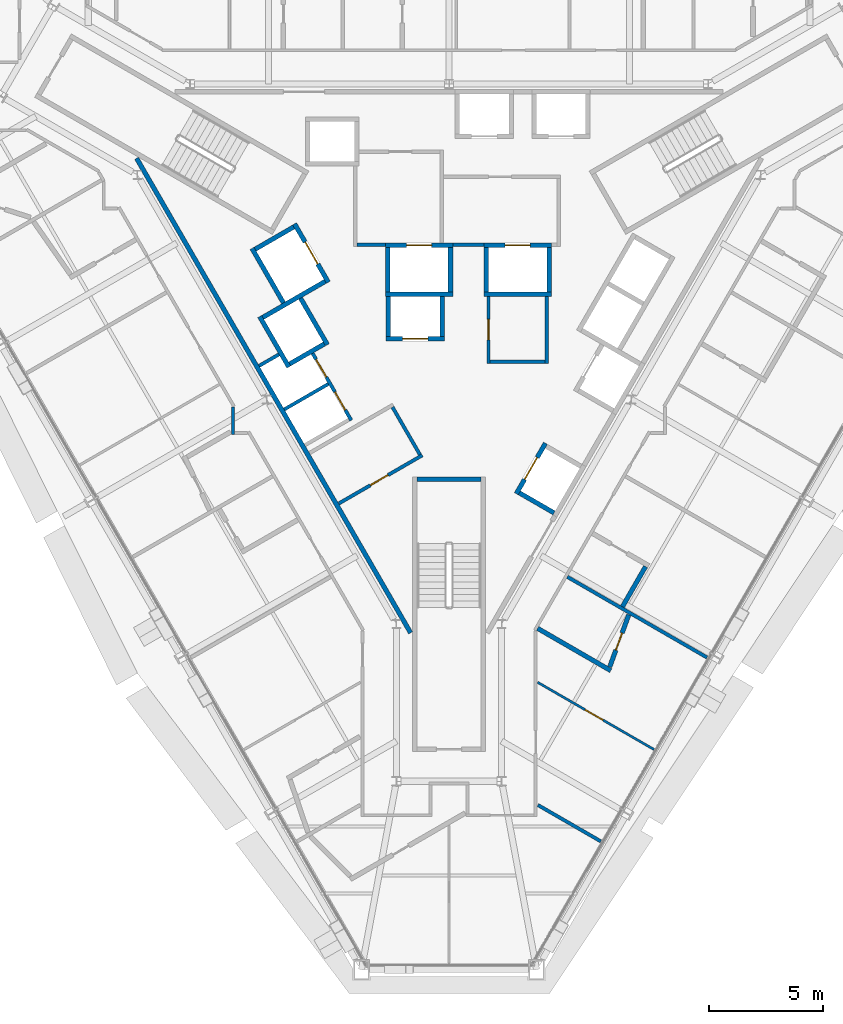
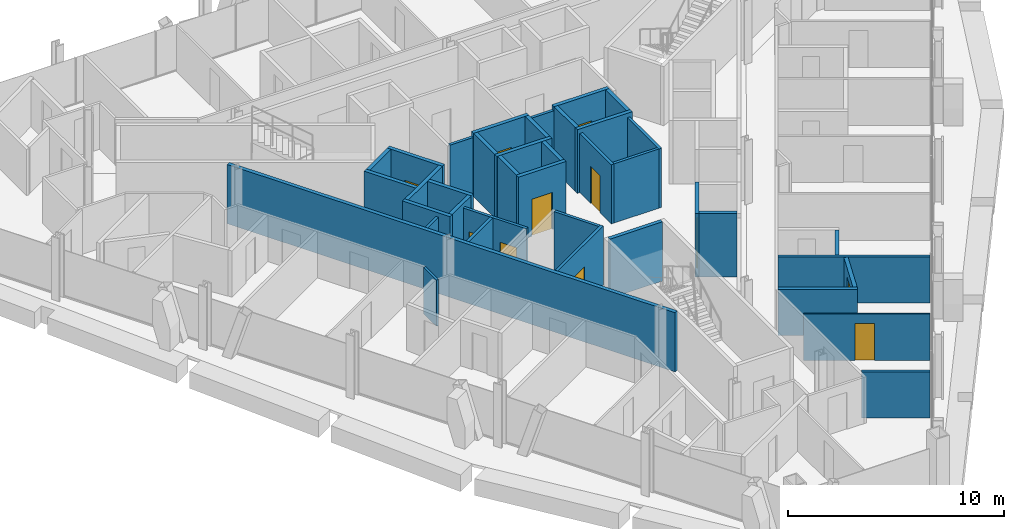
# One storey, part 11 of 17: 39 walls, 11 doors, 11 openings.
"""IFC4 building model written with IfcOpenShell, lengths in metres."""

from ifc_helpers import new_model, si_unit, direction, frame, frame_2d, origin, place, context, subcontext, project, spatial, rectangle, extrude, material, layer, layer_set, type_object, element, fill, save


model = new_model("IFC4")

# Units and contexts
model_context = context("Model", 3, precision=1e-05, world=origin(), true_north=direction((0.0, 1.0)))
body_context = subcontext(model_context, "Body", "Model", "MODEL_VIEW")
ifc_project = project(units=[si_unit("LENGTHUNIT", "METRE"), si_unit("AREAUNIT", "SQUARE_METRE"), si_unit("VOLUMEUNIT", "CUBIC_METRE"), si_unit("PLANEANGLEUNIT", "RADIAN"), si_unit("MASSUNIT", "GRAM", prefix="KILO")], contexts=[model_context])

# Site, building, storey
site_placement = place(None, origin())
site = spatial("IfcSite", under=ifc_project, at=site_placement, CompositionType="ELEMENT")
building_placement = place(site_placement, origin())
building = spatial("IfcBuilding", under=site, at=building_placement, Name="Verrane Prism Tower", CompositionType="ELEMENT")
storey_placement = place(building_placement, frame((0.0, 0.0, 96.39990234375)))
storey = spatial("IfcBuildingStorey", under=building, at=storey_placement, Name="L22", CompositionType="ELEMENT", Elevation=96.39990234375)

# Walls
ifc_material_1 = material(Name="Gypsum board partition", Category="other")
ifc_layer_1 = layer(ifc_material_1, 0.199951171875)
ifc_layer_set_1 = layer_set([ifc_layer_1], Name="CW-200 core boundary wall 2 h")
wall_type_1 = type_object("IfcWallType", Name="CW-200 core boundary wall 2 h", PredefinedType="PARTITIONING", material=ifc_layer_set_1)
wall_1_placement = place(storey_placement, frame((-13.66357421875, 5.946044921875, 0.0), z_axis=(0.0, 0.0, 1.0), x_axis=(0.499994327219, -0.866028678941, 0.0)))
element("IfcWall", 1, at=wall_1_placement, inside=storey, type_object=wall_type_1, Name="Core boundary wall CW3-001", PredefinedType="PARTITIONING", context=body_context, shape_type="SweptSolid", body=[
    extrude(rectangle(XDim=23.967529296875, YDim=0.199951171875, at=frame_2d((11.98388671875, 0.0))), origin(), (0.0, 0.0, 1.0), 3.35009765625),
])
ifc_material_2 = material(Name="Concrete C40/50", Category="concrete")
ifc_layer_2 = layer(ifc_material_2, 0.199951171875)
ifc_layer_set_2 = layer_set([ifc_layer_2], Name="CW-200 stair core wall concrete C40/50 3 h")
wall_type_2 = type_object("IfcWallType", Name="CW-200 stair core wall concrete C40/50 3 h", PredefinedType="PARTITIONING", material=ifc_layer_set_2)
wall_2_placement = place(storey_placement, frame((-1.39990234375, -8.10009765625, 0.0), z_axis=(0.0, 0.0, 1.0), x_axis=(1.0, 0.0, 0.0)))
element("IfcWall", 2, at=wall_2_placement, inside=storey, type_object=wall_type_2, Name="Stair 3 enclosure wall", PredefinedType="PARTITIONING", context=body_context, shape_type="SweptSolid", body=[
    extrude(rectangle(XDim=2.7998046875, YDim=0.199951171875, at=frame_2d((1.39990234375, 0.0))), origin(), (0.0, 0.0, 1.0), 3.35009765625),
])

# Wall, opening, door
ifc_material_3 = material(Name="Gypsum board shaft wall assembly", Category="other")
ifc_layer_3 = layer(ifc_material_3, 0.199951171875)
ifc_layer_set_3 = layer_set([ifc_layer_3], Name="HW-200 lift shaft wall 2 h")
wall_type_3 = type_object("IfcWallType", Name="HW-200 lift shaft wall 2 h", PredefinedType="PARTITIONING", material=ifc_layer_set_3)
wall_3_placement = place(storey_placement, frame((-2.7548828125, -1.949951171875, 0.0), z_axis=(0.0, 0.0, 1.0), x_axis=(1.0, 0.0, 0.0)))
wall_3 = element("IfcWall", 3, at=wall_3_placement, inside=storey, type_object=wall_type_3, Name="Lift shaft wall", PredefinedType="PARTITIONING", context=body_context, shape_type="SweptSolid", body=[
    extrude(rectangle(XDim=2.5498046875, YDim=0.199951171875, at=frame_2d((1.27490234375, 0.0))), origin(), (0.0, 0.0, 1.0), 3.60009765625),
])
opening_1_placement = place(wall_3_placement, frame((0.72509765625, 0.0, 0.0)))
opening_1 = element("IfcOpeningElement", 4, at=opening_1_placement, cuts=wall_3, Name="Opening D21504", PredefinedType="OPENING", context=body_context, shape_type="SweptSolid", body=[
    extrude(rectangle(XDim=1.10009765625, YDim=2.10009765625, at=frame_2d((0.550048828125, 1.050048828125))), frame((0.0, 0.10986328125, 0.0), z_axis=(0.0, -1.0, 0.0), x_axis=(1.0, 0.0, 0.0)), (0.0, 0.0, 1.0), 0.219970703125),
])
ifc_material_4 = material(Name="Stainless steel sliding landing door", Category="steel")
door_type_1 = type_object("IfcDoorType", Name="LD-1100x2100 lift landing door FD90 sliding", OperationType="NOTDEFINED", PredefinedType="DOOR", material=ifc_material_4)
door_1_placement = place(opening_1_placement, origin())
door_1 = element("IfcDoor", 5, at=door_1_placement, inside=storey, type_object=door_type_1, Name="Bank A lift 2 landing door", OperationType="SLIDING_TO_RIGHT", OverallHeight=2.10009765625, OverallWidth=1.10009765625, PredefinedType="DOOR", context=body_context, shape_type="SweptSolid", body=[
    extrude(rectangle(XDim=1.10009765625, YDim=2.10009765625, at=frame_2d((0.550048828125, 1.050048828125))), frame((0.0, 0.02490234375, 0.0), z_axis=(0.0, -1.0, 0.0), x_axis=(1.0, 0.0, 0.0)), (0.0, 0.0, 1.0), 0.050048828125),
])
fill(opening_1, door_1)

# Walls
wall_4_placement = place(storey_placement, frame((-2.784912109375, 0.0, 0.0), z_axis=(0.0, 0.0, 1.0), x_axis=(1.0, 0.0, 0.0)))
element("IfcWall", 6, at=wall_4_placement, inside=storey, type_object=wall_type_3, Name="Lift shaft wall", PredefinedType="PARTITIONING", context=body_context, shape_type="SweptSolid", body=[
    extrude(rectangle(XDim=2.949951171875, YDim=0.199951171875, at=frame_2d((1.47509765625, 0.0))), origin(), (0.0, 0.0, 1.0), 3.60009765625),
])
wall_5_placement = place(storey_placement, frame((1.52490234375, 0.0, 0.0), z_axis=(0.0, 0.0, 1.0), x_axis=(1.0, 0.0, 0.0)))
element("IfcWall", 7, at=wall_5_placement, inside=storey, type_object=wall_type_3, Name="Lift shaft wall", PredefinedType="PARTITIONING", context=body_context, shape_type="SweptSolid", body=[
    extrude(rectangle(XDim=2.9501953125, YDim=0.199951171875, at=frame_2d((1.47509765625, 0.0))), origin(), (0.0, 0.0, 1.0), 3.60009765625),
])

# Wall, opening, door
wall_6_placement = place(storey_placement, frame((-2.784912109375, 2.14990234375, 0.0), z_axis=(0.0, 0.0, 1.0), x_axis=(1.0, 0.0, 0.0)))
wall_6 = element("IfcWall", 8, at=wall_6_placement, inside=storey, type_object=wall_type_3, Name="Lift shaft wall", PredefinedType="PARTITIONING", context=body_context, shape_type="SweptSolid", body=[
    extrude(rectangle(XDim=2.949951171875, YDim=0.199951171875, at=frame_2d((1.47509765625, 0.0))), origin(), (0.0, 0.0, 1.0), 3.60009765625),
])
opening_2_placement = place(wall_6_placement, frame((0.925048828125, 0.0, 0.0)))
opening_2 = element("IfcOpeningElement", 9, at=opening_2_placement, cuts=wall_6, Name="Opening D21508", PredefinedType="OPENING", context=body_context, shape_type="SweptSolid", body=[
    extrude(rectangle(XDim=1.10009765625, YDim=2.10009765625, at=frame_2d((0.550048828125, 1.050048828125))), frame((0.0, 0.10986328125, 0.0), z_axis=(0.0, -1.0, 0.0), x_axis=(1.0, 0.0, 0.0)), (0.0, 0.0, 1.0), 0.219970703125),
])
door_2_placement = place(opening_2_placement, origin())
door_2 = element("IfcDoor", 10, at=door_2_placement, inside=storey, type_object=door_type_1, Name="Fire service lift 1 landing door", OperationType="SLIDING_TO_LEFT", OverallHeight=2.10009765625, OverallWidth=1.10009765625, PredefinedType="DOOR", context=body_context, shape_type="SweptSolid", body=[
    extrude(rectangle(XDim=1.10009765625, YDim=2.10009765625, at=frame_2d((0.550048828125, 1.050048828125))), frame((0.0, 0.02490234375, 0.0), z_axis=(0.0, -1.0, 0.0), x_axis=(1.0, 0.0, 0.0)), (0.0, 0.0, 1.0), 0.050048828125),
])
fill(opening_2, door_2)

wall_7_placement = place(storey_placement, frame((1.52490234375, 2.14990234375, 0.0), z_axis=(0.0, 0.0, 1.0), x_axis=(1.0, 0.0, 0.0)))
wall_7 = element("IfcWall", 11, at=wall_7_placement, inside=storey, type_object=wall_type_3, Name="Lift shaft wall", PredefinedType="PARTITIONING", context=body_context, shape_type="SweptSolid", body=[
    extrude(rectangle(XDim=2.9501953125, YDim=0.199951171875, at=frame_2d((1.47509765625, 0.0))), origin(), (0.0, 0.0, 1.0), 3.60009765625),
])
opening_3_placement = place(wall_7_placement, frame((0.925048828125, 0.0, 0.0)))
opening_3 = element("IfcOpeningElement", 12, at=opening_3_placement, cuts=wall_7, Name="Opening D21509", PredefinedType="OPENING", context=body_context, shape_type="SweptSolid", body=[
    extrude(rectangle(XDim=1.10009765625, YDim=2.10009765625, at=frame_2d((0.550048828125, 1.050048828125))), frame((0.0, 0.10986328125, 0.0), z_axis=(0.0, -1.0, 0.0), x_axis=(1.0, 0.0, 0.0)), (0.0, 0.0, 1.0), 0.219970703125),
])
door_3_placement = place(opening_3_placement, origin())
door_3 = element("IfcDoor", 13, at=door_3_placement, inside=storey, type_object=door_type_1, Name="Fire service lift 2 landing door", OperationType="SLIDING_TO_RIGHT", OverallHeight=2.10009765625, OverallWidth=1.10009765625, PredefinedType="DOOR", context=body_context, shape_type="SweptSolid", body=[
    extrude(rectangle(XDim=1.10009765625, YDim=2.10009765625, at=frame_2d((0.550048828125, 1.050048828125))), frame((0.0, 0.02490234375, 0.0), z_axis=(0.0, -1.0, 0.0), x_axis=(1.0, 0.0, 0.0)), (0.0, 0.0, 1.0), 0.050048828125),
])
fill(opening_3, door_3)

# Walls
wall_8_placement = place(storey_placement, frame((-6.9697265625, -3.048095703125, 0.0), z_axis=(0.0, 0.0, 1.0), x_axis=(0.866036909293, 0.499980071345, 0.0)))
element("IfcWall", 14, at=wall_8_placement, inside=storey, type_object=wall_type_3, Name="Lift shaft wall", PredefinedType="PARTITIONING", context=body_context, shape_type="SweptSolid", body=[
    extrude(rectangle(XDim=1.75, YDim=0.199951171875, at=frame_2d((0.875, 0.0))), origin(), (0.0, 0.0, 1.0), 3.60009765625),
])
wall_9_placement = place(storey_placement, frame((-8.14453125, -1.012939453125, 0.0), z_axis=(0.0, 0.0, 1.0), x_axis=(0.866016494683, 0.500015430699, 0.0)))
element("IfcWall", 15, at=wall_9_placement, inside=storey, type_object=wall_type_3, Name="Lift shaft wall", PredefinedType="PARTITIONING", context=body_context, shape_type="SweptSolid", body=[
    extrude(rectangle(XDim=3.14990234375, YDim=0.199951171875, at=frame_2d((1.574951171875, 0.0))), origin(), (0.0, 0.0, 1.0), 3.60009765625),
])
wall_10_placement = place(storey_placement, frame((-8.48046875, 1.968505859375, 0.0), z_axis=(0.0, 0.0, 1.0), x_axis=(0.866000020948, 0.500043961785, 0.0)))
element("IfcWall", 16, at=wall_10_placement, inside=storey, type_object=wall_type_3, Name="Lift shaft wall", PredefinedType="PARTITIONING", context=body_context, shape_type="SweptSolid", body=[
    extrude(rectangle(XDim=1.949951171875, YDim=0.199951171875, at=frame_2d((0.97509765625, 0.0))), origin(), (0.0, 0.0, 1.0), 3.60009765625),
])

# Wall, opening, door
wall_11_placement = place(storey_placement, frame((2.941650390625, -8.724853515625, 0.0), z_axis=(0.0, 0.0, 1.0), x_axis=(0.500020783669, 0.866013403995, 0.0)))
wall_11 = element("IfcWall", 17, at=wall_11_placement, inside=storey, type_object=wall_type_3, Name="Lift shaft wall", PredefinedType="PARTITIONING", context=body_context, shape_type="SweptSolid", body=[
    extrude(rectangle(XDim=2.55029296875, YDim=0.199951171875, at=frame_2d((1.275146484375, 0.0))), origin(), (0.0, 0.0, 1.0), 3.60009765625),
])
opening_4_placement = place(wall_11_placement, frame((0.72509765625, 0.0, 0.0)))
opening_4 = element("IfcOpeningElement", 18, at=opening_4_placement, cuts=wall_11, Name="Opening D21506", PredefinedType="OPENING", context=body_context, shape_type="SweptSolid", body=[
    extrude(rectangle(XDim=1.10009765625, YDim=2.10009765625, at=frame_2d((0.550048828125, 1.050048828125))), frame((0.0, 0.10986328125, 0.0), z_axis=(0.0, -1.0, 0.0), x_axis=(1.0, 0.0, 0.0)), (0.0, 0.0, 1.0), 0.219970703125),
])
door_4_placement = place(opening_4_placement, origin())
door_4 = element("IfcDoor", 19, at=door_4_placement, inside=storey, type_object=door_type_1, Name="Bank A lift 4 landing door", OperationType="SLIDING_TO_RIGHT", OverallHeight=2.10009765625, OverallWidth=1.10009765625, PredefinedType="DOOR", context=body_context, shape_type="SweptSolid", body=[
    extrude(rectangle(XDim=1.10009765625, YDim=2.10009765625, at=frame_2d((0.550048828125, 1.050048828125))), frame((0.0, 0.02490234375, 0.0), z_axis=(0.0, -1.0, 0.0), x_axis=(1.0, 0.0, 0.0)), (0.0, 0.0, 1.0), 0.050048828125),
])
fill(opening_4, door_4)

# Walls
for number, where, z_axis, x_axis, name in (
    (20, (4.375, 0.10009765625, 0.0), (0.0, 0.0, 1.0), (0.0, 1.0, 0.0), "Lift shaft wall"),
    (21, (1.625, 0.10009765625, 0.0), (0.0, 0.0, 1.0), (0.0, 1.0, 0.0), "Lift shaft wall"),
    (22, (0.06494140625, 0.10009765625, 0.0), (0.0, 0.0, 1.0), (0.0, 1.0, 0.0), "Lift shaft wall"),
):
    element("IfcWall", number, at=place(storey_placement, frame(where, z_axis=z_axis, x_axis=x_axis)), inside=storey, type_object=wall_type_3, Name=name, PredefinedType="PARTITIONING", context=body_context, shape_type="SweptSolid", body=[
        extrude(rectangle(XDim=1.949951171875, YDim=0.199951171875, at=frame_2d((0.97509765625, 0.0))), origin(), (0.0, 0.0, 1.0), 3.60009765625),
    ])
for number, where, z_axis, x_axis, name in (
    (23, (-0.304931640625, -1.85009765625, 0.0), (0.0, 0.0, 1.0), (0.0, 1.0, 0.0), "Lift shaft wall"),
    (24, (-2.655029296875, -1.85009765625, 0.0), (0.0, 0.0, 1.0), (0.0, 1.0, 0.0), "Lift shaft wall"),
):
    element("IfcWall", number, at=place(storey_placement, frame(where, z_axis=z_axis, x_axis=x_axis)), inside=storey, type_object=wall_type_3, Name=name, PredefinedType="PARTITIONING", context=body_context, shape_type="SweptSolid", body=[
        extrude(rectangle(XDim=1.75, YDim=0.199951171875, at=frame_2d((0.875, 0.0))), origin(), (0.0, 0.0, 1.0), 3.60009765625),
    ])
wall_12_placement = place(storey_placement, frame((-2.68505859375, 0.10009765625, 0.0), z_axis=(0.0, 0.0, 1.0), x_axis=(0.0, 1.0, 0.0)))
element("IfcWall", 25, at=wall_12_placement, inside=storey, type_object=wall_type_3, Name="Lift shaft wall", PredefinedType="PARTITIONING", context=body_context, shape_type="SweptSolid", body=[
    extrude(rectangle(XDim=1.949951171875, YDim=0.199951171875, at=frame_2d((0.97509765625, 0.0))), origin(), (0.0, 0.0, 1.0), 3.60009765625),
])

# Wall, opening, door
wall_13_placement = place(storey_placement, frame((-5.280029296875, 0.525390625, 0.0), z_axis=(0.0, 0.0, 1.0), x_axis=(-0.500037662692, 0.866003658127, 0.0)))
wall_13 = element("IfcWall", 26, at=wall_13_placement, inside=storey, type_object=wall_type_3, Name="Lift shaft wall", PredefinedType="PARTITIONING", context=body_context, shape_type="SweptSolid", body=[
    extrude(rectangle(XDim=2.949951171875, YDim=0.199951171875, at=frame_2d((1.47509765625, 0.0))), origin(), (0.0, 0.0, 1.0), 3.60009765625),
])
opening_5_placement = place(wall_13_placement, frame((0.925048828125, 0.0, 0.0)))
opening_5 = element("IfcOpeningElement", 27, at=opening_5_placement, cuts=wall_13, Name="Opening D21510", PredefinedType="OPENING", context=body_context, shape_type="SweptSolid", body=[
    extrude(rectangle(XDim=1.10009765625, YDim=2.10009765625, at=frame_2d((0.550048828125, 1.050048828125))), frame((0.0, 0.10986328125, 0.0), z_axis=(0.0, -1.0, 0.0), x_axis=(1.0, 0.0, 0.0)), (0.0, 0.0, 1.0), 0.219970703125),
])
door_5_placement = place(opening_5_placement, origin())
door_5 = element("IfcDoor", 28, at=door_5_placement, inside=storey, type_object=door_type_1, Name="Service lift 1 landing door", OperationType="SLIDING_TO_LEFT", OverallHeight=2.10009765625, OverallWidth=1.10009765625, PredefinedType="DOOR", context=body_context, shape_type="SweptSolid", body=[
    extrude(rectangle(XDim=1.10009765625, YDim=2.10009765625, at=frame_2d((0.550048828125, 1.050048828125))), frame((0.0, 0.02490234375, 0.0), z_axis=(0.0, -1.0, 0.0), x_axis=(1.0, 0.0, 0.0)), (0.0, 0.0, 1.0), 0.050048828125),
])
fill(opening_5, door_5)

# Walls
wall_14_placement = place(storey_placement, frame((-5.317626953125, -2.209716796875, 0.0), z_axis=(0.0, 0.0, 1.0), x_axis=(-0.499938297808, 0.866061024631, 0.0)))
element("IfcWall", 29, at=wall_14_placement, inside=storey, type_object=wall_type_3, Name="Lift shaft wall", PredefinedType="PARTITIONING", context=body_context, shape_type="SweptSolid", body=[
    extrude(rectangle(XDim=2.349853515625, YDim=0.199951171875, at=frame_2d((1.1748046875, 0.0))), origin(), (0.0, 0.0, 1.0), 3.60009765625),
])
wall_15_placement = place(storey_placement, frame((-7.241943359375, -0.37646484375, 0.0), z_axis=(0.0, 0.0, 1.0), x_axis=(-0.499996545922, 0.866027397988, 0.0)))
element("IfcWall", 30, at=wall_15_placement, inside=storey, type_object=wall_type_3, Name="Lift shaft wall", PredefinedType="PARTITIONING", context=body_context, shape_type="SweptSolid", body=[
    extrude(rectangle(XDim=2.75, YDim=0.199951171875, at=frame_2d((1.375, 0.0))), origin(), (0.0, 0.0, 1.0), 3.60009765625),
])
wall_16_placement = place(storey_placement, frame((-7.00634765625, -3.184814453125, 0.0), z_axis=(0.0, 0.0, 1.0), x_axis=(-0.499990435942, 0.866030925526, 0.0)))
element("IfcWall", 31, at=wall_16_placement, inside=storey, type_object=wall_type_3, Name="Lift shaft wall", PredefinedType="PARTITIONING", context=body_context, shape_type="SweptSolid", body=[
    extrude(rectangle(XDim=2.5498046875, YDim=0.199951171875, at=frame_2d((1.27490234375, 0.0))), origin(), (0.0, 0.0, 1.0), 3.60009765625),
])
wall_17_placement = place(storey_placement, frame((4.593994140625, -9.563232421875, 0.0), z_axis=(0.0, 0.0, 1.0), x_axis=(-0.866036909293, 0.499980071345, 0.0)))
element("IfcWall", 32, at=wall_17_placement, inside=storey, type_object=wall_type_3, Name="Lift shaft wall", PredefinedType="PARTITIONING", context=body_context, shape_type="SweptSolid", body=[
    extrude(rectangle(XDim=1.75, YDim=0.199951171875, at=frame_2d((0.875, 0.0))), origin(), (0.0, 0.0, 1.0), 3.60009765625),
])
ifc_material_5 = material(Name="Gypsum board partition", Category="other")
ifc_layer_4 = layer(ifc_material_5, 0.14990234375)
ifc_layer_set_4 = layer_set([ifc_layer_4], Name="LF-150 firefighting lobby wall 1 h")
wall_type_4 = type_object("IfcWallType", Name="LF-150 firefighting lobby wall 1 h", PredefinedType="PARTITIONING", material=ifc_layer_set_4)
wall_18_placement = place(storey_placement, frame((-4.02490234375, 2.159912109375, 0.0), z_axis=(0.0, 0.0, 1.0), x_axis=(1.0, 0.0, 0.0)))
element("IfcWall", 33, at=wall_18_placement, inside=storey, type_object=wall_type_4, Name="Firefighting lobby wall LF1-002", PredefinedType="PARTITIONING", context=body_context, shape_type="SweptSolid", body=[
    extrude(rectangle(XDim=1.23779296875, YDim=0.14990234375, at=frame_2d((0.618896484375, 0.0))), origin(), (0.0, 0.0, 1.0), 3.35009765625),
])
wall_19_placement = place(storey_placement, frame((0.1669921875, 2.159912109375, 0.0), z_axis=(0.0, 0.0, 1.0), x_axis=(1.0, 0.0, 0.0)))
element("IfcWall", 34, at=wall_19_placement, inside=storey, type_object=wall_type_4, Name="Firefighting lobby wall LF1-006", PredefinedType="PARTITIONING", context=body_context, shape_type="SweptSolid", body=[
    extrude(rectangle(XDim=1.35595703125, YDim=0.14990234375, at=frame_2d((0.677978515625, 0.0))), origin(), (0.0, 0.0, 1.0), 3.35009765625),
])

# Wall, opening, door
ifc_material_6 = material(Name="Gypsum board partition", Category="other")
ifc_layer_5 = layer(ifc_material_6, 0.10009765625)
ifc_layer_set_5 = layer_set([ifc_layer_5], Name="PW-100 room partition")
wall_type_5 = type_object("IfcWallType", Name="PW-100 room partition", PredefinedType="PARTITIONING", material=ifc_layer_set_5)
wall_20_placement = place(storey_placement, frame((3.87451171875, -16.972412109375, 0.0), z_axis=(0.0, 0.0, 1.0), x_axis=(0.86602429061, -0.500001928069, 0.0)))
wall_20 = element("IfcWall", 35, at=wall_20_placement, inside=storey, type_object=wall_type_5, Name="Room partition 058", PredefinedType="PARTITIONING", context=body_context, shape_type="SweptSolid", body=[
    extrude(rectangle(XDim=5.873046875, YDim=0.10009765625, at=frame_2d((2.9365234375, 0.0))), origin(), (0.0, 0.0, 1.0), 2.613037109375),
])
opening_6_placement = place(wall_20_placement, frame((2.39892578125, 0.0, 0.0)))
opening_6 = element("IfcOpeningElement", 36, at=opening_6_placement, cuts=wall_20, Name="Opening D21002", PredefinedType="OPENING", context=body_context, shape_type="SweptSolid", body=[
    extrude(rectangle(XDim=0.89990234375, YDim=2.10009765625, at=frame_2d((0.449951171875, 1.050048828125))), frame((0.0, 0.06005859375, 0.0), z_axis=(0.0, -1.0, 0.0), x_axis=(1.0, 0.0, 0.0)), (0.0, 0.0, 1.0), 0.1201171875),
])
ifc_material_7 = material(Name="Timber veneered door leaf", Category="wood")
door_type_2 = type_object("IfcDoorType", Name="DR-900x2100 single leaf inner", OperationType="NOTDEFINED", PredefinedType="DOOR", material=ifc_material_7)
door_6_placement = place(opening_6_placement, origin())
door_6 = element("IfcDoor", 37, at=door_6_placement, inside=storey, type_object=door_type_2, Name="Suite Living Room door", OperationType="SINGLE_SWING_RIGHT", OverallHeight=2.10009765625, OverallWidth=0.89990234375, PredefinedType="DOOR", context=body_context, shape_type="SweptSolid", body=[
    extrude(rectangle(XDim=0.89990234375, YDim=2.10009765625, at=frame_2d((0.449951171875, 1.050048828125))), frame((0.0, 0.02490234375, 0.0), z_axis=(0.0, -1.0, 0.0), x_axis=(1.0, 0.0, 0.0)), (0.0, 0.0, 1.0), 0.050048828125),
])
fill(opening_6, door_6)

# Walls
ifc_material_8 = material(Name="Gypsum board partition", Category="other")
ifc_layer_6 = layer(ifc_material_8, 0.125)
ifc_layer_set_6 = layer_set([ifc_layer_6], Name="PW-125 corridor wall 1 h")
wall_type_6 = type_object("IfcWallType", Name="PW-125 corridor wall 1 h", PredefinedType="PARTITIONING", material=ifc_layer_set_6)
wall_21_placement = place(storey_placement, frame((-9.44091796875, -6.133544921875, 0.0), z_axis=(0.0, 0.0, 1.0), x_axis=(0.0, 1.0, 0.0)))
element("IfcWall", 38, at=wall_21_placement, inside=storey, type_object=wall_type_6, Name="Corridor wall 033", PredefinedType="PARTITIONING", context=body_context, shape_type="SweptSolid", body=[
    extrude(rectangle(XDim=1.200439453125, YDim=0.125, at=frame_2d((0.60009765625, 0.0))), origin(), (0.0, 0.0, 1.0), 2.613037109375),
])
ifc_material_9 = material(Name="Gypsum board partition", Category="other")
ifc_layer_7 = layer(ifc_material_9, 0.14990234375)
ifc_layer_set_7 = layer_set([ifc_layer_7], Name="PW-150 demising wall 1 h")
wall_type_7 = type_object("IfcWallType", Name="PW-150 demising wall 1 h", PredefinedType="PARTITIONING", material=ifc_layer_set_7)
wall_22_placement = place(storey_placement, frame((3.886962890625, -22.33984375, 0.0), z_axis=(0.0, 0.0, 1.0), x_axis=(0.866065365018, -0.499930778725, 0.0)))
element("IfcWall", 39, at=wall_22_placement, inside=storey, type_object=wall_type_7, Name="Demising wall 057", PredefinedType="PARTITIONING", context=body_context, shape_type="SweptSolid", body=[
    extrude(rectangle(XDim=3.1787109375, YDim=0.14990234375, at=frame_2d((1.58935546875, 0.0))), origin(), (0.0, 0.0, 1.0), 2.613037109375),
])
wall_23_placement = place(storey_placement, frame((5.175048828125, -12.3623046875, 0.0), z_axis=(0.0, 0.0, 1.0), x_axis=(0.866031654768, -0.499989172823, 0.0)))
element("IfcWall", 40, at=wall_23_placement, inside=storey, type_object=wall_type_7, Name="Demising wall 061", PredefinedType="PARTITIONING", context=body_context, shape_type="SweptSolid", body=[
    extrude(rectangle(XDim=7.052001953125, YDim=0.14990234375, at=frame_2d((3.52587890625, 0.0))), origin(), (0.0, 0.0, 1.0), 2.613037109375),
])
ifc_material_10 = material(Name="Gypsum board partition", Category="other")
ifc_layer_8 = layer(ifc_material_10, 0.199951171875)
ifc_layer_set_8 = layer_set([ifc_layer_8], Name="PW-200 plumbing wall")
wall_type_8 = type_object("IfcWallType", Name="PW-200 plumbing wall", PredefinedType="PARTITIONING", material=ifc_layer_set_8)
wall_24_placement = place(storey_placement, frame((3.875244140625, -14.61328125, 0.0), z_axis=(0.0, 0.0, 1.0), x_axis=(0.865890522866, -0.500233547866, 0.0)))
element("IfcWall", 41, at=wall_24_placement, inside=storey, type_object=wall_type_8, Name="Plumbing wall 060", PredefinedType="PARTITIONING", context=body_context, shape_type="SweptSolid", body=[
    extrude(rectangle(XDim=3.693603515625, YDim=0.199951171875, at=frame_2d((1.8466796875, 0.0))), origin(), (0.0, 0.0, 1.0), 2.613037109375),
])

# Wall, opening, door
wall_25_placement = place(storey_placement, frame((7.028076171875, -16.29833984375, 0.0), z_axis=(0.0, 0.0, 1.0), x_axis=(0.342817359533, 0.939402074728, 0.0)))
wall_25 = element("IfcWall", 42, at=wall_25_placement, inside=storey, type_object=wall_type_8, Name="Plumbing wall 064", PredefinedType="PARTITIONING", context=body_context, shape_type="SweptSolid", body=[
    extrude(rectangle(XDim=2.42626953125, YDim=0.199951171875, at=frame_2d((1.213134765625, 0.0))), origin(), (0.0, 0.0, 1.0), 2.613037109375),
])
opening_7_placement = place(wall_25_placement, frame((0.780029296875, 0.0, 0.0)))
opening_7 = element("IfcOpeningElement", 43, at=opening_7_placement, cuts=wall_25, Name="Opening D21003", PredefinedType="OPENING", context=body_context, shape_type="SweptSolid", body=[
    extrude(rectangle(XDim=0.800048828125, YDim=2.10009765625, at=frame_2d((0.39990234375, 1.050048828125))), frame((0.0, 0.10986328125, 0.0), z_axis=(0.0, -1.0, 0.0), x_axis=(1.0, 0.0, 0.0)), (0.0, 0.0, 1.0), 0.219970703125),
])
ifc_material_11 = material(Name="Timber veneered door leaf", Category="wood")
door_type_3 = type_object("IfcDoorType", Name="DR-800x2100 single leaf bath", OperationType="NOTDEFINED", PredefinedType="DOOR", material=ifc_material_11)
door_7_placement = place(opening_7_placement, origin())
door_7 = element("IfcDoor", 44, at=door_7_placement, inside=storey, type_object=door_type_3, Name="En-Suite door", OperationType="SINGLE_SWING_LEFT", OverallHeight=2.10009765625, OverallWidth=0.800048828125, PredefinedType="DOOR", context=body_context, shape_type="SweptSolid", body=[
    extrude(rectangle(XDim=0.800048828125, YDim=2.10009765625, at=frame_2d((0.39990234375, 1.050048828125))), frame((0.0, 0.02490234375, 0.0), z_axis=(0.0, -1.0, 0.0), x_axis=(1.0, 0.0, 0.0)), (0.0, 0.0, 1.0), 0.050048828125),
])
fill(opening_7, door_7)

# Walls
wall_26_placement = place(storey_placement, frame((7.58349609375, -13.666015625, 0.0), z_axis=(0.0, 0.0, 1.0), x_axis=(0.49983374806, 0.866121368112, 0.0)))
element("IfcWall", 45, at=wall_26_placement, inside=storey, type_object=wall_type_8, Name="Plumbing wall 065", PredefinedType="PARTITIONING", context=body_context, shape_type="SweptSolid", body=[
    extrude(rectangle(XDim=2.025634765625, YDim=0.199951171875, at=frame_2d((1.0126953125, 0.0))), origin(), (0.0, 0.0, 1.0), 2.613037109375),
])
ifc_material_12 = material(Name="Gypsum board partition", Category="other")
ifc_layer_9 = layer(ifc_material_12, 0.14990234375)
ifc_layer_set_9 = layer_set([ifc_layer_9], Name="RS-150 riser enclosure wall 1 h")
wall_type_9 = type_object("IfcWallType", Name="RS-150 riser enclosure wall 1 h", PredefinedType="PARTITIONING", material=ifc_layer_set_9)
wall_27_placement = place(storey_placement, frame((-8.306396484375, -3.133056640625, 0.0), z_axis=(0.0, 0.0, 1.0), x_axis=(0.86606747808, 0.499927118101, 0.0)))
element("IfcWall", 46, at=wall_27_placement, inside=storey, type_object=wall_type_9, Name="Riser wall RS3-001", PredefinedType="PARTITIONING", context=body_context, shape_type="SweptSolid", body=[
    extrude(rectangle(XDim=0.998291015625, YDim=0.14990234375, at=frame_2d((0.4990234375, 0.0))), origin(), (0.0, 0.0, 1.0), 3.35009765625),
])
wall_28_placement = place(storey_placement, frame((-7.206298828125, -5.0380859375, 0.0), z_axis=(0.0, 0.0, 1.0), x_axis=(0.865944298464, 0.500140452231, 0.0)))
element("IfcWall", 47, at=wall_28_placement, inside=storey, type_object=wall_type_9, Name="Riser wall RS3-002", PredefinedType="PARTITIONING", context=body_context, shape_type="SweptSolid", body=[
    extrude(rectangle(XDim=2.224365234375, YDim=0.14990234375, at=frame_2d((1.1123046875, 0.0))), origin(), (0.0, 0.0, 1.0), 3.35009765625),
])

# Wall, openings, doors
wall_29_placement = place(storey_placement, frame((-4.277587890625, -5.511962890625, 0.0), z_axis=(0.0, 0.0, 1.0), x_axis=(-0.499933120428, 0.86606401328, 0.0)))
wall_29 = element("IfcWall", 48, at=wall_29_placement, inside=storey, type_object=wall_type_9, Name="Riser wall RS3-005", PredefinedType="PARTITIONING", context=body_context, shape_type="SweptSolid", body=[
    extrude(rectangle(XDim=3.37744140625, YDim=0.14990234375, at=frame_2d((1.688720703125, 0.0))), origin(), (0.0, 0.0, 1.0), 3.35009765625),
])
opening_8_placement = place(wall_29_placement, frame((2.17724609375, 0.0, 0.0)))
opening_8 = element("IfcOpeningElement", 49, at=opening_8_placement, cuts=wall_29, Name="Opening D21512", PredefinedType="OPENING", context=body_context, shape_type="SweptSolid", body=[
    extrude(rectangle(XDim=0.89990234375, YDim=2.10009765625, at=frame_2d((0.449951171875, 1.050048828125))), frame((0.0, 0.0849609375, 0.0), z_axis=(0.0, -1.0, 0.0), x_axis=(1.0, 0.0, 0.0)), (0.0, 0.0, 1.0), 0.169921875),
])
opening_9_placement = place(wall_29_placement, frame((0.525390625, 0.0, 0.0)))
opening_9 = element("IfcOpeningElement", 50, at=opening_9_placement, cuts=wall_29, Name="Opening D21513", PredefinedType="OPENING", context=body_context, shape_type="SweptSolid", body=[
    extrude(rectangle(XDim=0.89990234375, YDim=2.10009765625, at=frame_2d((0.449951171875, 1.050048828125))), frame((0.0, 0.0849609375, 0.0), z_axis=(0.0, -1.0, 0.0), x_axis=(1.0, 0.0, 0.0)), (0.0, 0.0, 1.0), 0.169921875),
])
ifc_material_13 = material(Name="Timber veneered door leaf", Category="wood")
door_type_4 = type_object("IfcDoorType", Name="DR-900x2100 FD60 single leaf riser", OperationType="NOTDEFINED", PredefinedType="DOOR", material=ifc_material_13)
door_8_placement = place(opening_8_placement, origin())
door_8 = element("IfcDoor", 51, at=door_8_placement, inside=storey, type_object=door_type_4, Name="Riser door D21512", OperationType="SINGLE_SWING_RIGHT", OverallHeight=2.10009765625, OverallWidth=0.89990234375, PredefinedType="DOOR", context=body_context, shape_type="SweptSolid", body=[
    extrude(rectangle(XDim=0.89990234375, YDim=2.10009765625, at=frame_2d((0.449951171875, 1.050048828125))), frame((0.0, 0.02490234375, 0.0), z_axis=(0.0, -1.0, 0.0), x_axis=(1.0, 0.0, 0.0)), (0.0, 0.0, 1.0), 0.050048828125),
])
fill(opening_8, door_8)
door_9_placement = place(opening_9_placement, origin())
door_9 = element("IfcDoor", 52, at=door_9_placement, inside=storey, type_object=door_type_4, Name="Riser door D21513", OperationType="SINGLE_SWING_LEFT", OverallHeight=2.10009765625, OverallWidth=0.89990234375, PredefinedType="DOOR", context=body_context, shape_type="SweptSolid", body=[
    extrude(rectangle(XDim=0.89990234375, YDim=2.10009765625, at=frame_2d((0.449951171875, 1.050048828125))), frame((0.0, 0.02490234375, 0.0), z_axis=(0.0, -1.0, 0.0), x_axis=(1.0, 0.0, 0.0)), (0.0, 0.0, 1.0), 0.050048828125),
])
fill(opening_9, door_9)

# Wall, opening, door
wall_30_placement = place(storey_placement, frame((-4.824951171875, -9.153564453125, 0.0), z_axis=(0.0, 0.0, 1.0), x_axis=(0.866023738697, 0.500002884005, 0.0)))
wall_30 = element("IfcWall", 53, at=wall_30_placement, inside=storey, type_object=wall_type_9, Name="Riser wall RS3-006", PredefinedType="PARTITIONING", context=body_context, shape_type="SweptSolid", body=[
    extrude(rectangle(XDim=4.22021484375, YDim=0.14990234375, at=frame_2d((2.110107421875, 0.0))), origin(), (0.0, 0.0, 1.0), 3.35009765625),
])
opening_10_placement = place(wall_30_placement, frame((1.594970703125, 0.0, 0.0)))
opening_10 = element("IfcOpeningElement", 54, at=opening_10_placement, cuts=wall_30, Name="Opening D21514", PredefinedType="OPENING", context=body_context, shape_type="SweptSolid", body=[
    extrude(rectangle(XDim=0.89990234375, YDim=2.10009765625, at=frame_2d((0.449951171875, 1.050048828125))), frame((0.0, 0.0849609375, 0.0), z_axis=(0.0, -1.0, 0.0), x_axis=(1.0, 0.0, 0.0)), (0.0, 0.0, 1.0), 0.169921875),
])
ifc_material_14 = material(Name="Timber veneered door leaf", Category="wood")
door_type_5 = type_object("IfcDoorType", Name="DR-900x2100 FD20 single leaf store", OperationType="NOTDEFINED", PredefinedType="DOOR", material=ifc_material_14)
door_10_placement = place(opening_10_placement, origin())
door_10 = element("IfcDoor", 55, at=door_10_placement, inside=storey, type_object=door_type_5, Name="Room door D21514", OperationType="SINGLE_SWING_LEFT", OverallHeight=2.10009765625, OverallWidth=0.89990234375, PredefinedType="DOOR", context=body_context, shape_type="SweptSolid", body=[
    extrude(rectangle(XDim=0.89990234375, YDim=2.10009765625, at=frame_2d((0.449951171875, 1.050048828125))), frame((0.0, 0.02490234375, 0.0), z_axis=(0.0, -1.0, 0.0), x_axis=(1.0, 0.0, 0.0)), (0.0, 0.0, 1.0), 0.050048828125),
])
fill(opening_10, door_10)

# Wall
wall_31_placement = place(storey_placement, frame((-2.472412109375, -4.93798828125, 0.0), z_axis=(0.0, 0.0, 1.0), x_axis=(0.500045362686, -0.865999212041, 0.0)))
element("IfcWall", 56, at=wall_31_placement, inside=storey, type_object=wall_type_9, Name="Riser wall RS3-007", PredefinedType="PARTITIONING", context=body_context, shape_type="SweptSolid", body=[
    extrude(rectangle(XDim=2.399658203125, YDim=0.14990234375, at=frame_2d((1.19970703125, 0.0))), origin(), (0.0, 0.0, 1.0), 3.35009765625),
])

# Wall, opening, door
wall_32_placement = place(storey_placement, frame((1.72509765625, -0.10205078125, 0.0), z_axis=(0.0, 0.0, 1.0), x_axis=(0.0, -1.0, 0.0)))
wall_32 = element("IfcWall", 57, at=wall_32_placement, inside=storey, type_object=wall_type_9, Name="Riser wall RS3-008", PredefinedType="PARTITIONING", context=body_context, shape_type="SweptSolid", body=[
    extrude(rectangle(XDim=2.9228515625, YDim=0.14990234375, at=frame_2d((1.46142578125, 0.0))), origin(), (0.0, 0.0, 1.0), 3.35009765625),
])
opening_11_placement = place(wall_32_placement, frame((0.998046875, 0.0, 0.0)))
opening_11 = element("IfcOpeningElement", 58, at=opening_11_placement, cuts=wall_32, Name="Opening D21518", PredefinedType="OPENING", context=body_context, shape_type="SweptSolid", body=[
    extrude(rectangle(XDim=0.89990234375, YDim=2.10009765625, at=frame_2d((0.449951171875, 1.050048828125))), frame((0.0, 0.0849609375, 0.0), z_axis=(0.0, -1.0, 0.0), x_axis=(1.0, 0.0, 0.0)), (0.0, 0.0, 1.0), 0.169921875),
])
door_11_placement = place(opening_11_placement, origin())
door_11 = element("IfcDoor", 59, at=door_11_placement, inside=storey, type_object=door_type_5, Name="Room door D21518", OperationType="SINGLE_SWING_LEFT", OverallHeight=2.10009765625, OverallWidth=0.89990234375, PredefinedType="DOOR", context=body_context, shape_type="SweptSolid", body=[
    extrude(rectangle(XDim=0.89990234375, YDim=2.10009765625, at=frame_2d((0.449951171875, 1.050048828125))), frame((0.0, 0.02490234375, 0.0), z_axis=(0.0, -1.0, 0.0), x_axis=(1.0, 0.0, 0.0)), (0.0, 0.0, 1.0), 0.050048828125),
])
fill(opening_11, door_11)

# Walls
wall_33_placement = place(storey_placement, frame((1.800048828125, -2.949951171875, 0.0), z_axis=(0.0, 0.0, 1.0), x_axis=(1.0, 0.0, 0.0)))
element("IfcWall", 60, at=wall_33_placement, inside=storey, type_object=wall_type_9, Name="Riser wall RS3-009", PredefinedType="PARTITIONING", context=body_context, shape_type="SweptSolid", body=[
    extrude(rectangle(XDim=2.39990234375, YDim=0.14990234375, at=frame_2d((1.199951171875, 0.0))), origin(), (0.0, 0.0, 1.0), 3.35009765625),
])
wall_34_placement = place(storey_placement, frame((4.27490234375, -3.02490234375, 0.0), z_axis=(0.0, 0.0, 1.0), x_axis=(0.0, 1.0, 0.0)))
element("IfcWall", 61, at=wall_34_placement, inside=storey, type_object=wall_type_9, Name="Riser wall RS3-010", PredefinedType="PARTITIONING", context=body_context, shape_type="SweptSolid", body=[
    extrude(rectangle(XDim=2.9228515625, YDim=0.14990234375, at=frame_2d((1.46142578125, 0.0))), origin(), (0.0, 0.0, 1.0), 3.35009765625),
])

save(model, "model.ifc")
